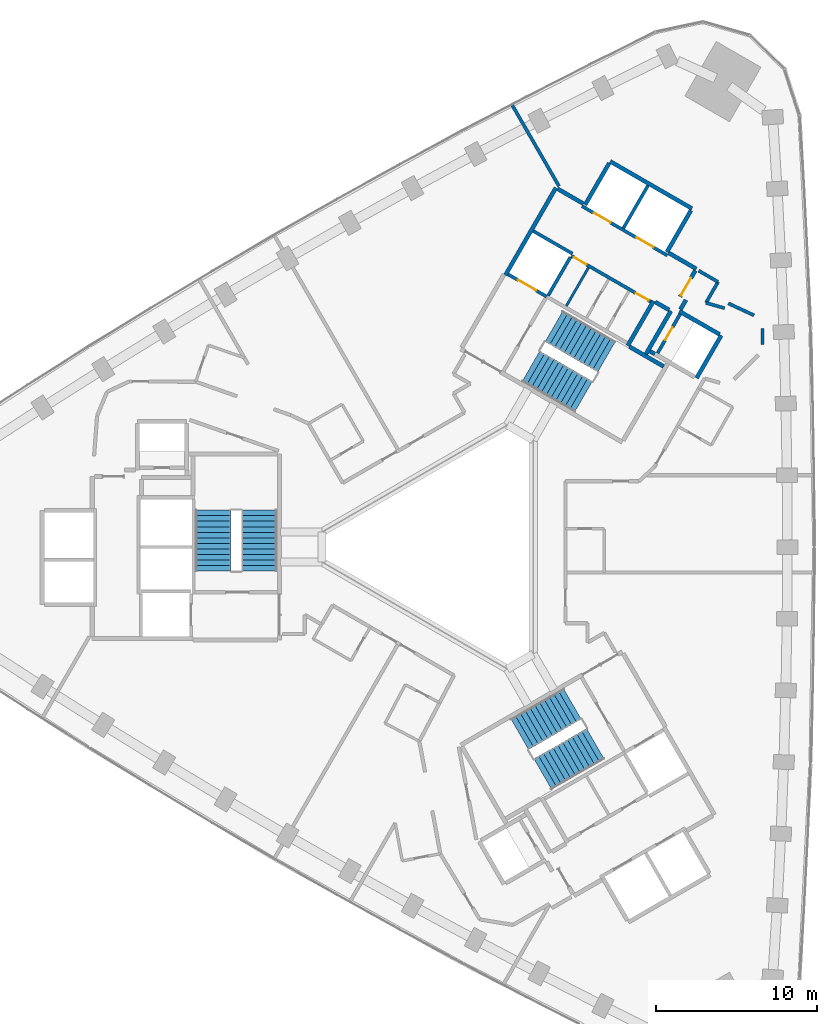
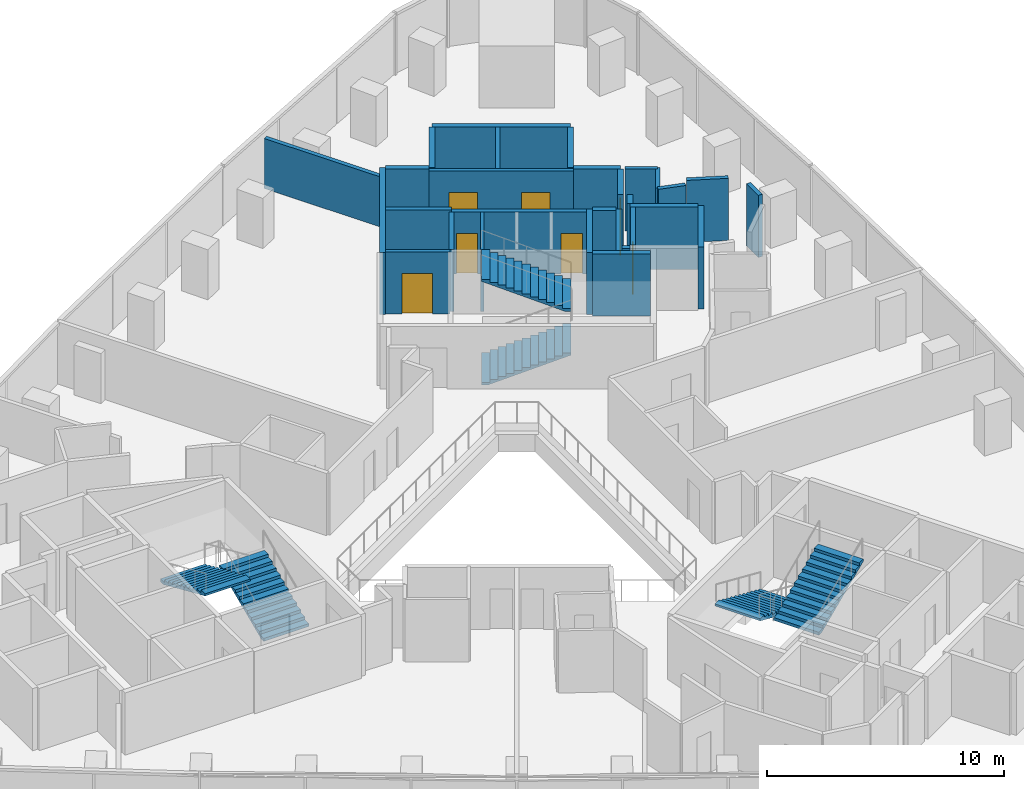
# One storey, part 11 of 12: 29 walls, 7 doors, 6 stair flights, 7 openings, 3 elements without a shape of their own.
"""IFC4 building model written with IfcOpenShell, lengths in metres."""

from ifc_helpers import new_model, si_unit, direction, frame, frame_2d, origin, place, context, subcontext, project, spatial, polyline, rectangle, outline, extrude, material, layer, layer_set, type_object, element, fill, aggregate, save


model = new_model("IFC4")

# Units and contexts
model_context = context("Model", 3, precision=1e-05, world=origin(), true_north=direction((0.0, 1.0)))
body_context = subcontext(model_context, "Body", "Model", "MODEL_VIEW")
ifc_project = project(units=[si_unit("LENGTHUNIT", "METRE"), si_unit("AREAUNIT", "SQUARE_METRE"), si_unit("VOLUMEUNIT", "CUBIC_METRE"), si_unit("PLANEANGLEUNIT", "RADIAN"), si_unit("MASSUNIT", "GRAM", prefix="KILO")], contexts=[model_context])

# Site, building, storey
site_placement = place(None, origin())
site = spatial("IfcSite", under=ifc_project, at=site_placement, CompositionType="ELEMENT")
building_placement = place(site_placement, origin())
building = spatial("IfcBuilding", under=site, at=building_placement, Name="Tamra Quay Hotel Tower", CompositionType="ELEMENT")
storey_placement = place(building_placement, frame((0.0, 0.0, 115.39990234375)))
storey = spatial("IfcBuildingStorey", under=building, at=storey_placement, Name="L28", CompositionType="ELEMENT", Elevation=115.39990234375)

# Wall, openings, doors
ifc_material_1 = material(Name="Concrete M70", Category="concrete")
ifc_layer_1 = layer(ifc_material_1, 0.199951171875)
ifc_layer_set_1 = layer_set([ifc_layer_1], Name="Concrete M70 core wall 200")
wall_type_1 = type_object("IfcWallType", Name="Concrete M70 core wall 200", PredefinedType="SHEAR", material=ifc_layer_set_1)
wall_1_placement = place(storey_placement, frame((13.209716796875, 18.07958984375, 0.0), z_axis=(0.0, 0.0, 1.0), x_axis=(-0.866030299012, 0.499991521122, 0.0)))
wall_1 = element("IfcWall", 1, at=wall_1_placement, inside=storey, type_object=wall_type_1, Name="CW2", PredefinedType="SHEAR", context=body_context, shape_type="SweptSolid", body=[
    extrude(rectangle(XDim=6.10009765625, YDim=0.199951171875, at=frame_2d((3.050048828125, 0.0))), origin(), (0.0, 0.0, 1.0), 3.2001953125),
])
opening_1_placement = place(wall_1_placement, frame((1.0, 0.0, 0.0)))
opening_1 = element("IfcOpeningElement", 2, at=opening_1_placement, cuts=wall_1, Name="Opening LD", PredefinedType="OPENING", context=body_context, shape_type="SweptSolid", body=[
    extrude(rectangle(XDim=1.199951171875, YDim=2.10009765625, at=frame_2d((0.60009765625, 1.050048828125))), frame((0.0, 0.10986328125, 0.0), z_axis=(0.0, -1.0, 0.0), x_axis=(1.0, 0.0, 0.0)), (0.0, 0.0, 1.0), 0.219970703125),
])
opening_2_placement = place(wall_1_placement, frame((4.05029296875, 0.0, 0.0)))
opening_2 = element("IfcOpeningElement", 3, at=opening_2_placement, cuts=wall_1, Name="Opening LD", PredefinedType="OPENING", context=body_context, shape_type="SweptSolid", body=[
    extrude(rectangle(XDim=1.199951171875, YDim=2.10009765625, at=frame_2d((0.60009765625, 1.050048828125))), frame((0.0, 0.10986328125, 0.0), z_axis=(0.0, -1.0, 0.0), x_axis=(1.0, 0.0, 0.0)), (0.0, 0.0, 1.0), 0.219970703125),
])
ifc_material_2 = material(Name="Landing door LD 1200 double door sliding")
door_type_1 = type_object("IfcDoorType", Name="Landing door LD 1200 double door sliding", OperationType="DOUBLE_DOOR_SLIDING", PredefinedType="DOOR", material=ifc_material_2)
door_1_placement = place(opening_1_placement, origin())
door_1 = element("IfcDoor", 4, at=door_1_placement, inside=storey, type_object=door_type_1, Name="LD", OperationType="DOUBLE_DOOR_SLIDING", OverallHeight=2.10009765625, OverallWidth=1.199951171875, PredefinedType="DOOR", context=body_context, shape_type="SweptSolid", body=[
    extrude(rectangle(XDim=1.199951171875, YDim=2.10009765625, at=frame_2d((0.60009765625, 1.050048828125))), frame((0.0, 0.02490234375, 0.0), z_axis=(0.0, -1.0, 0.0), x_axis=(1.0, 0.0, 0.0)), (0.0, 0.0, 1.0), 0.050048828125),
])
fill(opening_1, door_1)
door_2_placement = place(opening_2_placement, origin())
door_2 = element("IfcDoor", 5, at=door_2_placement, inside=storey, type_object=door_type_1, Name="LD", OperationType="DOUBLE_DOOR_SLIDING", OverallHeight=2.10009765625, OverallWidth=1.199951171875, PredefinedType="DOOR", context=body_context, shape_type="SweptSolid", body=[
    extrude(rectangle(XDim=1.199951171875, YDim=2.10009765625, at=frame_2d((0.60009765625, 1.050048828125))), frame((0.0, 0.02490234375, 0.0), z_axis=(0.0, -1.0, 0.0), x_axis=(1.0, 0.0, 0.0)), (0.0, 0.0, 1.0), 0.050048828125),
])
fill(opening_2, door_2)

wall_2_placement = place(storey_placement, frame((12.18505859375, 15.20703125, 0.0), z_axis=(0.0, 0.0, 1.0), x_axis=(-0.866020080793, 0.500009219579, 0.0)))
wall_2 = element("IfcWall", 6, at=wall_2_placement, inside=storey, type_object=wall_type_1, Name="CW2", PredefinedType="SHEAR", context=body_context, shape_type="SweptSolid", body=[
    extrude(rectangle(XDim=5.69921875, YDim=0.199951171875, at=frame_2d((2.849609375, 0.0))), origin(), (0.0, 0.0, 1.0), 3.2001953125),
])
opening_3_placement = place(wall_2_placement, frame((0.174072265625, 0.0, 0.0)))
opening_3 = element("IfcOpeningElement", 7, at=opening_3_placement, cuts=wall_2, Name="Opening D2", PredefinedType="OPENING", context=body_context, shape_type="SweptSolid", body=[
    extrude(rectangle(XDim=0.89990234375, YDim=2.10009765625, at=frame_2d((0.449951171875, 1.050048828125))), frame((0.0, 0.10986328125, 0.0), z_axis=(0.0, -1.0, 0.0), x_axis=(1.0, 0.0, 0.0)), (0.0, 0.0, 1.0), 0.219970703125),
])
opening_4_placement = place(wall_2_placement, frame((4.59912109375, 0.0, 0.0)))
opening_4 = element("IfcOpeningElement", 8, at=opening_4_placement, cuts=wall_2, Name="Opening D2", PredefinedType="OPENING", context=body_context, shape_type="SweptSolid", body=[
    extrude(rectangle(XDim=0.89990234375, YDim=2.10009765625, at=frame_2d((0.449951171875, 1.050048828125))), frame((0.0, 0.10986328125, 0.0), z_axis=(0.0, -1.0, 0.0), x_axis=(1.0, 0.0, 0.0)), (0.0, 0.0, 1.0), 0.219970703125),
])
ifc_material_3 = material(Name="Core door D2 900x2100 LH")
door_type_2 = type_object("IfcDoorType", Name="Core door D2 900x2100 LH", OperationType="NOTDEFINED", PredefinedType="DOOR", material=ifc_material_3)
door_3_placement = place(opening_4_placement, origin())
door_3 = element("IfcDoor", 9, at=door_3_placement, inside=storey, type_object=door_type_2, Name="D2", OperationType="SINGLE_SWING_LEFT", OverallHeight=2.10009765625, OverallWidth=0.89990234375, PredefinedType="DOOR", context=body_context, shape_type="SweptSolid", body=[
    extrude(rectangle(XDim=0.89990234375, YDim=2.10009765625, at=frame_2d((0.449951171875, 1.050048828125))), frame((0.0, 0.02490234375, 0.0), z_axis=(0.0, -1.0, 0.0), x_axis=(1.0, 0.0, 0.0)), (0.0, 0.0, 1.0), 0.050048828125),
])
fill(opening_4, door_3)
ifc_material_4 = material(Name="Core door D2 900x2100 RH")
door_type_3 = type_object("IfcDoorType", Name="Core door D2 900x2100 RH", OperationType="NOTDEFINED", PredefinedType="DOOR", material=ifc_material_4)
door_4_placement = place(opening_3_placement, origin())
door_4 = element("IfcDoor", 10, at=door_4_placement, inside=storey, type_object=door_type_3, Name="D2", OperationType="SINGLE_SWING_RIGHT", OverallHeight=2.10009765625, OverallWidth=0.89990234375, PredefinedType="DOOR", context=body_context, shape_type="SweptSolid", body=[
    extrude(rectangle(XDim=0.89990234375, YDim=2.10009765625, at=frame_2d((0.449951171875, 1.050048828125))), frame((0.0, 0.02490234375, 0.0), z_axis=(0.0, -1.0, 0.0), x_axis=(1.0, 0.0, 0.0)), (0.0, 0.0, 1.0), 0.050048828125),
])
fill(opening_3, door_4)

# Wall
wall_3_placement = place(storey_placement, frame((10.48876953125, 19.76708984375, 0.0), z_axis=(0.0, 0.0, 1.0), x_axis=(0.499946628782, 0.866056215479, 0.0)))
element("IfcWall", 11, at=wall_3_placement, inside=storey, type_object=wall_type_1, Name="CW2", PredefinedType="SHEAR", context=body_context, shape_type="SweptSolid", body=[
    extrude(rectangle(XDim=3.048095703125, YDim=0.199951171875, at=frame_2d((1.52392578125, 0.0))), origin(), (0.0, 0.0, 1.0), 3.2001953125),
])

# Wall, opening, door
wall_4_placement = place(storey_placement, frame((14.0078125, 14.442138671875, 0.0), z_axis=(0.0, 0.0, 1.0), x_axis=(-0.499986818241, -0.866033014143, 0.0)))
wall_4 = element("IfcWall", 12, at=wall_4_placement, inside=storey, type_object=wall_type_1, Name="CW2", PredefinedType="SHEAR", context=body_context, shape_type="SweptSolid", body=[
    extrude(rectangle(XDim=2.7978515625, YDim=0.199951171875, at=frame_2d((1.39892578125, 0.0))), origin(), (0.0, 0.0, 1.0), 3.2001953125),
])
opening_5_placement = place(wall_4_placement, frame((0.948974609375, 0.0, 0.0)))
opening_5 = element("IfcOpeningElement", 13, at=opening_5_placement, cuts=wall_4, Name="Opening D1", PredefinedType="OPENING", context=body_context, shape_type="SweptSolid", body=[
    extrude(rectangle(XDim=0.89990234375, YDim=2.10009765625, at=frame_2d((0.449951171875, 1.050048828125))), frame((0.0, 0.10986328125, 0.0), z_axis=(0.0, -1.0, 0.0), x_axis=(1.0, 0.0, 0.0)), (0.0, 0.0, 1.0), 0.219970703125),
])
ifc_material_5 = material(Name="Core door D1 900x2100 RH")
door_type_4 = type_object("IfcDoorType", Name="Core door D1 900x2100 RH", OperationType="NOTDEFINED", PredefinedType="DOOR", material=ifc_material_5)
door_5_placement = place(opening_5_placement, origin())
door_5 = element("IfcDoor", 14, at=door_5_placement, inside=storey, type_object=door_type_4, Name="D1", OperationType="SINGLE_SWING_RIGHT", OverallHeight=2.10009765625, OverallWidth=0.89990234375, PredefinedType="DOOR", context=body_context, shape_type="SweptSolid", body=[
    extrude(rectangle(XDim=0.89990234375, YDim=2.10009765625, at=frame_2d((0.449951171875, 1.050048828125))), frame((0.0, 0.02490234375, 0.0), z_axis=(0.0, -1.0, 0.0), x_axis=(1.0, 0.0, 0.0)), (0.0, 0.0, 1.0), 0.050048828125),
])
fill(opening_5, door_5)

# Wall
wall_5_placement = place(storey_placement, frame((7.199462890625, 17.969970703125, 0.0), z_axis=(0.0, 0.0, 1.0), x_axis=(-0.499968400327, -0.866043647095, 0.0)))
element("IfcWall", 15, at=wall_5_placement, inside=storey, type_object=wall_type_1, Name="CW2", PredefinedType="SHEAR", context=body_context, shape_type="SweptSolid", body=[
    extrude(rectangle(XDim=2.749755859375, YDim=0.199951171875, at=frame_2d((1.375, 0.0))), origin(), (0.0, 0.0, 1.0), 3.2001953125),
])

# Wall, opening, door
wall_6_placement = place(storey_placement, frame((5.72509765625, 15.530517578125, 0.0), z_axis=(0.0, 0.0, 1.0), x_axis=(-0.866037306777, 0.499979382845, 0.0)))
wall_6 = element("IfcWall", 16, at=wall_6_placement, inside=storey, type_object=wall_type_1, Name="CW2", PredefinedType="SHEAR", context=body_context, shape_type="SweptSolid", body=[
    extrude(rectangle(XDim=2.74169921875, YDim=0.199951171875, at=frame_2d((1.370849609375, 0.0))), origin(), (0.0, 0.0, 1.0), 3.2001953125),
])
opening_6_placement = place(wall_6_placement, frame((0.742919921875, 0.0, 0.0)))
opening_6 = element("IfcOpeningElement", 17, at=opening_6_placement, cuts=wall_6, Name="Opening LD", PredefinedType="OPENING", context=body_context, shape_type="SweptSolid", body=[
    extrude(rectangle(XDim=1.300048828125, YDim=2.10009765625, at=frame_2d((0.64990234375, 1.050048828125))), frame((0.0, 0.10986328125, 0.0), z_axis=(0.0, -1.0, 0.0), x_axis=(1.0, 0.0, 0.0)), (0.0, 0.0, 1.0), 0.219970703125),
])
ifc_material_6 = material(Name="Landing door LD 1300 sliding to left")
door_type_5 = type_object("IfcDoorType", Name="Landing door LD 1300 sliding to left", OperationType="NOTDEFINED", PredefinedType="DOOR", material=ifc_material_6)
door_6_placement = place(opening_6_placement, origin())
door_6 = element("IfcDoor", 18, at=door_6_placement, inside=storey, type_object=door_type_5, Name="LD", OperationType="SLIDING_TO_LEFT", OverallHeight=2.10009765625, OverallWidth=1.300048828125, PredefinedType="DOOR", context=body_context, shape_type="SweptSolid", body=[
    extrude(rectangle(XDim=1.300048828125, YDim=2.10009765625, at=frame_2d((0.64990234375, 1.050048828125))), frame((0.0, 0.02490234375, 0.0), z_axis=(0.0, -1.0, 0.0), x_axis=(1.0, 0.0, 0.0)), (0.0, 0.0, 1.0), 0.050048828125),
])
fill(opening_6, door_6)

# Walls
wall_7_placement = place(storey_placement, frame((4.900634765625, 19.5859375, 0.0), z_axis=(0.0, 0.0, 1.0), x_axis=(0.866022890907, -0.500004352405, 0.0)))
element("IfcWall", 19, at=wall_7_placement, inside=storey, type_object=wall_type_1, Name="CW2", PredefinedType="SHEAR", context=body_context, shape_type="SweptSolid", body=[
    extrude(rectangle(XDim=2.798828125, YDim=0.199951171875, at=frame_2d((1.3994140625, 0.0))), origin(), (0.0, 0.0, 1.0), 3.2001953125),
])
ifc_layer_2 = layer(ifc_material_1, 0.25)
ifc_layer_set_2 = layer_set([ifc_layer_2], Name="Concrete M70 core wall 250")
wall_type_2 = type_object("IfcWallType", Name="Concrete M70 core wall 250", PredefinedType="SHEAR", material=ifc_layer_set_2)
wall_8_placement = place(storey_placement, frame((3.178955078125, 16.856201171875, 0.0), z_axis=(0.0, 0.0, 1.0), x_axis=(0.500004234368, 0.866022959057, 0.0)))
element("IfcWall", 20, at=wall_8_placement, inside=storey, type_object=wall_type_2, Name="CW1", PredefinedType="SHEAR", context=body_context, shape_type="SweptSolid", body=[
    extrude(rectangle(XDim=6.25, YDim=0.25, at=frame_2d((3.125, 0.0))), origin(), (0.0, 0.0, 1.0), 3.2001953125),
])
wall_9_placement = place(storey_placement, frame((9.672607421875, 23.9033203125, 0.0), z_axis=(0.0, 0.0, 1.0), x_axis=(0.86603616409, -0.499981362141, 0.0)))
element("IfcWall", 21, at=wall_9_placement, inside=storey, type_object=wall_type_2, Name="CW1", PredefinedType="SHEAR", context=body_context, shape_type="SweptSolid", body=[
    extrude(rectangle(XDim=5.849853515625, YDim=0.25, at=frame_2d((2.9248046875, 0.0))), origin(), (0.0, 0.0, 1.0), 3.2001953125),
])
wall_10_placement = place(storey_placement, frame((12.356689453125, 15.25244140625, 0.0), z_axis=(0.0, 0.0, 1.0), x_axis=(-0.500028443584, -0.866008981251, 0.0)))
element("IfcWall", 22, at=wall_10_placement, inside=storey, type_object=wall_type_2, Name="CW1", PredefinedType="SHEAR", context=body_context, shape_type="SweptSolid", body=[
    extrude(rectangle(XDim=3.199951171875, YDim=0.25, at=frame_2d((1.60009765625, 0.0))), origin(), (0.0, 0.0, 1.0), 3.2001953125),
])
for number, where, z_axis, x_axis, name in (
    (23, (8.12255859375, 21.21875, 0.0), (0.0, 0.0, 1.0), (0.499987686533, 0.866032512851, 0.0), "CW1"),
    (24, (14.67626953125, 20.869873046875, 0.0), (0.0, 0.0, 1.0), (-0.499987686533, -0.866032512851, 0.0), "CW1"),
):
    element("IfcWall", number, at=place(storey_placement, frame(where, z_axis=z_axis, x_axis=x_axis)), inside=storey, type_object=wall_type_2, Name=name, PredefinedType="SHEAR", context=body_context, shape_type="SweptSolid", body=[
        extrude(rectangle(XDim=2.974609375, YDim=0.25, at=frame_2d((1.4873046875, 0.0))), origin(), (0.0, 0.0, 1.0), 3.2001953125),
    ])
wall_11_placement = place(storey_placement, frame((16.552001953125, 13.118896484375, 0.0), z_axis=(0.0, 0.0, 1.0), x_axis=(-0.499978833458, -0.866037623948, 0.0)))
element("IfcWall", 25, at=wall_11_placement, inside=storey, type_object=wall_type_2, Name="CW1", PredefinedType="SHEAR", context=body_context, shape_type="SweptSolid", body=[
    extrude(rectangle(XDim=3.050048828125, YDim=0.25, at=frame_2d((1.52490234375, 0.0))), origin(), (0.0, 0.0, 1.0), 3.2001953125),
])
wall_12_placement = place(storey_placement, frame((13.962646484375, 14.61376953125, 0.0), z_axis=(0.0, 0.0, 1.0), x_axis=(0.866042235819, -0.499970844928, 0.0)))
element("IfcWall", 26, at=wall_12_placement, inside=storey, type_object=wall_type_2, Name="CW1", PredefinedType="SHEAR", context=body_context, shape_type="SweptSolid", body=[
    extrude(rectangle(XDim=2.864501953125, YDim=0.25, at=frame_2d((1.43212890625, 0.0))), origin(), (0.0, 0.0, 1.0), 3.2001953125),
])
wall_13_placement = place(storey_placement, frame((11.887939453125, 11.960693359375, 0.0), z_axis=(0.0, 0.0, 1.0), x_axis=(0.500003324108, 0.866023484601, 0.0)))
element("IfcWall", 27, at=wall_13_placement, inside=storey, type_object=wall_type_2, Name="CW1", PredefinedType="SHEAR", context=body_context, shape_type="SweptSolid", body=[
    extrude(rectangle(XDim=3.0849609375, YDim=0.25, at=frame_2d((1.54248046875, 0.0))), origin(), (0.0, 0.0, 1.0), 3.2001953125),
])
wall_14_placement = place(storey_placement, frame((10.865234375, 12.41845703125, 0.0), z_axis=(0.0, 0.0, 1.0), x_axis=(0.866026229868, -0.499998569178, 0.0)))
element("IfcWall", 28, at=wall_14_placement, inside=storey, type_object=wall_type_2, Name="CW1", PredefinedType="SHEAR", context=body_context, shape_type="SweptSolid", body=[
    extrude(rectangle(XDim=2.44921875, YDim=0.25, at=frame_2d((1.224609375, 0.0))), origin(), (0.0, 0.0, 1.0), 3.2001953125),
])
wall_15_placement = place(storey_placement, frame((13.29736328125, 18.23095703125, 0.0), z_axis=(0.0, 0.0, 1.0), x_axis=(0.866043531843, -0.499968599967, 0.0)))
element("IfcWall", 29, at=wall_15_placement, inside=storey, type_object=wall_type_2, Name="CW1", PredefinedType="SHEAR", context=body_context, shape_type="SweptSolid", body=[
    extrude(rectangle(XDim=1.974853515625, YDim=0.25, at=frame_2d((0.9873046875, 0.0))), origin(), (0.0, 0.0, 1.0), 3.2001953125),
])
wall_16_placement = place(storey_placement, frame((6.41259765625, 22.2060546875, 0.0), z_axis=(0.0, 0.0, 1.0), x_axis=(0.866016279763, -0.500015802937, 0.0)))
element("IfcWall", 30, at=wall_16_placement, inside=storey, type_object=wall_type_2, Name="CW1", PredefinedType="SHEAR", context=body_context, shape_type="SweptSolid", body=[
    extrude(rectangle(XDim=1.84912109375, YDim=0.25, at=frame_2d((0.924560546875, 0.0))), origin(), (0.0, 0.0, 1.0), 3.2001953125),
])

# Wall, opening, door
wall_17_placement = place(storey_placement, frame((14.94482421875, 17.13525390625, 0.0), z_axis=(0.0, 0.0, 1.0), x_axis=(-0.499983108224, -0.866035156036, 0.0)))
wall_17 = element("IfcWall", 31, at=wall_17_placement, inside=storey, type_object=wall_type_2, Name="CW1", PredefinedType="SHEAR", context=body_context, shape_type="SweptSolid", body=[
    extrude(rectangle(XDim=1.86474609375, YDim=0.25, at=frame_2d((0.932373046875, 0.0))), origin(), (0.0, 0.0, 1.0), 3.2001953125),
])
opening_7_placement = place(wall_17_placement, frame((0.53466796875, 0.0, 0.0)))
opening_7 = element("IfcOpeningElement", 32, at=opening_7_placement, cuts=wall_17, Name="Opening FD3", PredefinedType="OPENING", context=body_context, shape_type="SweptSolid", body=[
    extrude(rectangle(XDim=1.25, YDim=2.10009765625, at=frame_2d((0.625, 1.050048828125))), frame((0.0, 0.135009765625, 0.0), z_axis=(0.0, -1.0, 0.0), x_axis=(1.0, 0.0, 0.0)), (0.0, 0.0, 1.0), 0.27001953125),
])
ifc_material_7 = material(Name="Core door FD3 1250x2100 LH")
door_type_6 = type_object("IfcDoorType", Name="Core door FD3 1250x2100 LH", OperationType="NOTDEFINED", PredefinedType="DOOR", material=ifc_material_7)
door_7_placement = place(opening_7_placement, origin())
door_7 = element("IfcDoor", 33, at=door_7_placement, inside=storey, type_object=door_type_6, Name="FD3", OperationType="SINGLE_SWING_LEFT", OverallHeight=2.10009765625, OverallWidth=1.25, PredefinedType="DOOR", context=body_context, shape_type="SweptSolid", body=[
    extrude(rectangle(XDim=1.25, YDim=2.10009765625, at=frame_2d((0.625, 1.050048828125))), frame((0.0, 0.02490234375, 0.0), z_axis=(0.0, -1.0, 0.0), x_axis=(1.0, 0.0, 0.0)), (0.0, 0.0, 1.0), 0.050048828125),
])
fill(opening_7, door_7)

# Walls
wall_18_placement = place(storey_placement, frame((13.322021484375, 14.695068359375, 0.0), z_axis=(0.0, 0.0, 1.0), x_axis=(-0.866017078145, 0.500014420154, 0.0)))
element("IfcWall", 34, at=wall_18_placement, inside=storey, type_object=wall_type_2, Name="CW1", PredefinedType="SHEAR", context=body_context, shape_type="SweptSolid", body=[
    extrude(rectangle(XDim=0.9892578125, YDim=0.25, at=frame_2d((0.49462890625, 0.0))), origin(), (0.0, 0.0, 1.0), 3.2001953125),
])
wall_19_placement = place(storey_placement, frame((14.36767578125, 15.3154296875, 0.0), z_axis=(0.0, 0.0, 1.0), x_axis=(-0.499897359611, -0.866084655132, 0.0)))
element("IfcWall", 35, at=wall_19_placement, inside=storey, type_object=wall_type_2, Name="CW1", PredefinedType="SHEAR", context=body_context, shape_type="SweptSolid", body=[
    extrude(rectangle(XDim=0.684814453125, YDim=0.25, at=frame_2d((0.34228515625, 0.0))), origin(), (0.0, 0.0, 1.0), 3.2001953125),
])
wall_20_placement = place(storey_placement, frame((12.4326171875, 11.9638671875, 0.0), z_axis=(0.0, 0.0, 1.0), x_axis=(-0.866055875208, 0.499947218231, 0.0)))
element("IfcWall", 36, at=wall_20_placement, inside=storey, type_object=wall_type_2, Name="CW1", PredefinedType="SHEAR", context=body_context, shape_type="SweptSolid", body=[
    extrude(rectangle(XDim=0.3447265625, YDim=0.25, at=frame_2d((0.17236328125, 0.0))), origin(), (0.0, 0.0, 1.0), 3.2001953125),
])
ifc_material_8 = material(Name="Blockwork", Category="masonry")
ifc_layer_3 = layer(ifc_material_8, 0.14990234375)
ifc_layer_set_3 = layer_set([ifc_layer_3], Name="Core partition block 150")
wall_type_3 = type_object("IfcWallType", Name="Core partition block 150", PredefinedType="PARTITIONING", material=ifc_layer_set_3)
wall_21_placement = place(storey_placement, frame((6.95068359375, 14.939208984375, 0.0), z_axis=(0.0, 0.0, 1.0), x_axis=(0.50002746344, 0.86600954718, 0.0)))
element("IfcWall", 37, at=wall_21_placement, inside=storey, type_object=wall_type_3, Name="CP1", PredefinedType="PARTITIONING", context=body_context, shape_type="SweptSolid", body=[
    extrude(rectangle(XDim=2.748291015625, YDim=0.14990234375, at=frame_2d((1.3740234375, 0.0))), origin(), (0.0, 0.0, 1.0), 3.2001953125),
])
ifc_material_9 = material(Name="Partition corridor wall")
ifc_layer_4 = layer(ifc_material_9, 0.199951171875)
ifc_layer_set_4 = layer_set([ifc_layer_4], Name="Partition corridor wall")
wall_type_4 = type_object("IfcWallType", Name="Partition corridor wall", PredefinedType="PARTITIONING", material=ifc_layer_set_4)
wall_22_placement = place(storey_placement, frame((15.155517578125, 17.130126953125, 0.0), z_axis=(0.0, 0.0, 1.0), x_axis=(0.865755062894, -0.500467952093, 0.0)))
element("IfcWall", 38, at=wall_22_placement, inside=storey, type_object=wall_type_4, Name="W-C", PredefinedType="PARTITIONING", context=body_context, shape_type="SweptSolid", body=[
    extrude(rectangle(XDim=1.388916015625, YDim=0.199951171875, at=frame_2d((0.6943359375, 0.0))), origin(), (0.0, 0.0, 1.0), 3.2001953125),
])
wall_23_placement = place(storey_placement, frame((15.60888671875, 15.135986328125, 0.0), z_axis=(0.0, 0.0, 1.0), x_axis=(0.499501622561, 0.866312950993, 0.0)))
element("IfcWall", 39, at=wall_23_placement, inside=storey, type_object=wall_type_4, Name="W-C", PredefinedType="PARTITIONING", context=body_context, shape_type="SweptSolid", body=[
    extrude(rectangle(XDim=1.49951171875, YDim=0.199951171875, at=frame_2d((0.749755859375, 0.0))), origin(), (0.0, 0.0, 1.0), 3.2001953125),
])
wall_24_placement = place(storey_placement, frame((15.60888671875, 15.135986328125, 0.0), z_axis=(0.0, 0.0, 1.0), x_axis=(0.961662011825, -0.274237442763, 0.0)))
element("IfcWall", 40, at=wall_24_placement, inside=storey, type_object=wall_type_4, Name="W-C", PredefinedType="PARTITIONING", context=body_context, shape_type="SweptSolid", body=[
    extrude(rectangle(XDim=1.199951171875, YDim=0.199951171875, at=frame_2d((0.60009765625, 0.0))), origin(), (0.0, 0.0, 1.0), 3.2001953125),
])
wall_25_placement = place(storey_placement, frame((16.992919921875, 15.10302734375, 0.0), z_axis=(0.0, 0.0, 1.0), x_axis=(0.90710328714, -0.420908097403, 0.0)))
element("IfcWall", 41, at=wall_25_placement, inside=storey, type_object=wall_type_4, Name="W-C", PredefinedType="PARTITIONING", context=body_context, shape_type="SweptSolid", body=[
    extrude(rectangle(XDim=1.76513671875, YDim=0.199951171875, at=frame_2d((0.882568359375, 0.0))), origin(), (0.0, 0.0, 1.0), 3.2001953125),
])
wall_26_placement = place(storey_placement, frame((19.114990234375, 12.5439453125, 0.0), z_axis=(0.0, 0.0, 1.0), x_axis=(0.0, 1.0, 0.0)))
element("IfcWall", 42, at=wall_26_placement, inside=storey, type_object=wall_type_4, Name="W-C", PredefinedType="PARTITIONING", context=body_context, shape_type="SweptSolid", body=[
    extrude(rectangle(XDim=1.0, YDim=0.199951171875, at=frame_2d((0.5, 0.0))), origin(), (0.0, 0.0, 1.0), 3.2001953125),
])
ifc_material_10 = material(Name="Partition party wall")
ifc_layer_5 = layer(ifc_material_10, 0.199951171875)
ifc_layer_set_5 = layer_set([ifc_layer_5], Name="Partition party wall")
wall_type_5 = type_object("IfcWallType", Name="Partition party wall", PredefinedType="PARTITIONING", material=ifc_layer_set_5)
wall_27_placement = place(storey_placement, frame((3.57958984375, 27.42578125, 0.0), z_axis=(0.0, 0.0, 1.0), x_axis=(0.499815409316, -0.866131951039, 0.0)))
element("IfcWall", 43, at=wall_27_placement, inside=storey, type_object=wall_type_5, Name="W-P", PredefinedType="PARTITIONING", context=body_context, shape_type="SweptSolid", body=[
    extrude(rectangle(XDim=5.835693359375, YDim=0.199951171875, at=frame_2d((2.91796875, 0.0))), origin(), (0.0, 0.0, 1.0), 2.580078125),
])

# Stair, stair flights
ifc_material_11 = material(Name="Exit stair 2200 24 risers 150.0 going 342")
stair_type = type_object("IfcStairType", Name="Exit stair 2200 24 risers 150.0 going 342", PredefinedType="HALF_TURN_STAIR", material=ifc_material_11)
stair_1_placement = place(storey_placement, origin())
stair_1 = element("IfcStair", 44, at=stair_1_placement, inside=storey, type_object=stair_type, Name="L28 Exit stair ST3", PredefinedType="HALF_TURN_STAIR")
ifc_material_12 = material(Name="Exit stair flight 2200 12 risers 150.0")
stair_flight_type = type_object("IfcStairFlightType", Name="Exit stair flight 2200 12 risers 150.0", PredefinedType="STRAIGHT", material=ifc_material_12)
stair_flight_1_placement = place(storey_placement, frame((-12.082275390625, -1.47998046875, 0.0), z_axis=(0.0, 0.0, 1.0), x_axis=(0.0, 1.0, 0.0)))
stair_flight_1 = element("IfcStairFlight", 45, at=stair_flight_1_placement, type_object=stair_flight_type, Name="ST3 flight 1", NumberOfRisers=12, NumberOfTreads=11, PredefinedType="STRAIGHT", RiserHeight=0.15, TreadLength=0.342, context=body_context, shape_type="SweptSolid", body=[
    extrude(outline(polyline([(0.0, 0.0), (0.0, 0.14990234375), (0.342041015625, 0.14990234375), (0.342041015625, 0.300048828125), (0.68408203125, 0.300048828125), (0.68408203125, 0.449951171875), (1.02587890625, 0.449951171875), (1.02587890625, 0.60009765625), (1.367919921875, 0.60009765625), (1.367919921875, 0.75), (1.7099609375, 0.75), (1.7099609375, 0.89990234375), (2.052001953125, 0.89990234375), (2.052001953125, 1.050048828125), (2.39404296875, 1.050048828125), (2.39404296875, 1.199951171875), (2.736083984375, 1.199951171875), (2.736083984375, 1.35009765625), (3.077880859375, 1.35009765625), (3.077880859375, 1.5), (3.419921875, 1.5), (3.419921875, 1.64990234375), (3.761962890625, 1.64990234375), (3.761962890625, 1.800048828125), (3.761962890625, 1.540771484375), (0.249267578125, 0.0), (0.0, 0.0)])), frame((0.0, 1.10009765625, 0.0), z_axis=(0.0, -1.0, 0.0), x_axis=(1.0, 0.0, 0.0)), (0.0, 0.0, 1.0), 2.199951171875),
])
stair_flight_2_placement = place(storey_placement, frame((-14.94140625, 2.281982421875, 1.800048828125), z_axis=(0.0, 0.0, 1.0), x_axis=(0.0, -1.0, 0.0)))
stair_flight_2 = element("IfcStairFlight", 46, at=stair_flight_2_placement, type_object=stair_flight_type, Name="ST3 flight 2", NumberOfRisers=12, NumberOfTreads=11, PredefinedType="STRAIGHT", RiserHeight=0.15, TreadLength=0.342, context=body_context, shape_type="SweptSolid", body=[
    extrude(outline(polyline([(0.0, 0.0), (0.0, 0.14990234375), (0.342041015625, 0.14990234375), (0.342041015625, 0.300048828125), (0.68408203125, 0.300048828125), (0.68408203125, 0.449951171875), (1.02587890625, 0.449951171875), (1.02587890625, 0.60009765625), (1.367919921875, 0.60009765625), (1.367919921875, 0.75), (1.7099609375, 0.75), (1.7099609375, 0.89990234375), (2.052001953125, 0.89990234375), (2.052001953125, 1.050048828125), (2.39404296875, 1.050048828125), (2.39404296875, 1.199951171875), (2.736083984375, 1.199951171875), (2.736083984375, 1.35009765625), (3.077880859375, 1.35009765625), (3.077880859375, 1.5), (3.419921875, 1.5), (3.419921875, 1.64990234375), (3.761962890625, 1.64990234375), (3.761962890625, 1.800048828125), (3.761962890625, 1.540771484375), (0.249267578125, 0.0), (0.0, 0.0)])), frame((0.0, 1.10009765625, 0.0), z_axis=(0.0, -1.0, 0.0), x_axis=(1.0, 0.0, 0.0)), (0.0, 0.0, 1.0), 2.199951171875),
])
aggregate(stair_1, [stair_flight_1, stair_flight_2])

stair_2_placement = place(storey_placement, origin())
stair_2 = element("IfcStair", 47, at=stair_2_placement, inside=storey, type_object=stair_type, Name="L28 Exit stair ST1", PredefinedType="HALF_TURN_STAIR")
stair_flight_3_placement = place(storey_placement, frame((4.75927734375, 11.20361328125, 0.0), z_axis=(0.0, 0.0, 1.0), x_axis=(0.866025403784, -0.5, 0.0)))
stair_flight_3 = element("IfcStairFlight", 48, at=stair_flight_3_placement, type_object=stair_flight_type, Name="ST1 flight 1", NumberOfRisers=12, NumberOfTreads=11, PredefinedType="STRAIGHT", RiserHeight=0.15, TreadLength=0.342, context=body_context, shape_type="SweptSolid", body=[
    extrude(outline(polyline([(0.0, 0.0), (0.0, 0.14990234375), (0.342041015625, 0.14990234375), (0.342041015625, 0.300048828125), (0.68408203125, 0.300048828125), (0.68408203125, 0.449951171875), (1.02587890625, 0.449951171875), (1.02587890625, 0.60009765625), (1.367919921875, 0.60009765625), (1.367919921875, 0.75), (1.7099609375, 0.75), (1.7099609375, 0.89990234375), (2.052001953125, 0.89990234375), (2.052001953125, 1.050048828125), (2.39404296875, 1.050048828125), (2.39404296875, 1.199951171875), (2.736083984375, 1.199951171875), (2.736083984375, 1.35009765625), (3.077880859375, 1.35009765625), (3.077880859375, 1.5), (3.419921875, 1.5), (3.419921875, 1.64990234375), (3.761962890625, 1.64990234375), (3.761962890625, 1.800048828125), (3.761962890625, 1.540771484375), (0.249267578125, 0.0), (0.0, 0.0)])), frame((0.0, 1.10009765625, 0.0), z_axis=(0.0, -1.0, 0.0), x_axis=(1.0, 0.0, 0.0)), (0.0, 0.0, 1.0), 2.199951171875),
])
stair_flight_4_placement = place(storey_placement, frame((9.44677734375, 11.798583984375, 1.800048828125), z_axis=(0.0, 0.0, 1.0), x_axis=(-0.866025403784, 0.5, 0.0)))
stair_flight_4 = element("IfcStairFlight", 49, at=stair_flight_4_placement, type_object=stair_flight_type, Name="ST1 flight 2", NumberOfRisers=12, NumberOfTreads=11, PredefinedType="STRAIGHT", RiserHeight=0.15, TreadLength=0.342, context=body_context, shape_type="SweptSolid", body=[
    extrude(outline(polyline([(0.0, 0.0), (0.0, 0.14990234375), (0.342041015625, 0.14990234375), (0.342041015625, 0.300048828125), (0.68408203125, 0.300048828125), (0.68408203125, 0.449951171875), (1.02587890625, 0.449951171875), (1.02587890625, 0.60009765625), (1.367919921875, 0.60009765625), (1.367919921875, 0.75), (1.7099609375, 0.75), (1.7099609375, 0.89990234375), (2.052001953125, 0.89990234375), (2.052001953125, 1.050048828125), (2.39404296875, 1.050048828125), (2.39404296875, 1.199951171875), (2.736083984375, 1.199951171875), (2.736083984375, 1.35009765625), (3.077880859375, 1.35009765625), (3.077880859375, 1.5), (3.419921875, 1.5), (3.419921875, 1.64990234375), (3.761962890625, 1.64990234375), (3.761962890625, 1.800048828125), (3.761962890625, 1.540771484375), (0.249267578125, 0.0), (0.0, 0.0)])), frame((0.0, 1.10009765625, 0.0), z_axis=(0.0, -1.0, 0.0), x_axis=(1.0, 0.0, 0.0)), (0.0, 0.0, 1.0), 2.199951171875),
])
aggregate(stair_2, [stair_flight_3, stair_flight_4])

stair_3_placement = place(storey_placement, origin())
stair_3 = element("IfcStair", 50, at=stair_3_placement, inside=storey, type_object=stair_type, Name="L28 Exit stair ST2", PredefinedType="HALF_TURN_STAIR")
stair_flight_5_placement = place(storey_placement, frame((7.322998046875, -9.7236328125, 0.0), z_axis=(0.0, 0.0, 1.0), x_axis=(-0.866025403784, -0.5, 0.0)))
stair_flight_5 = element("IfcStairFlight", 51, at=stair_flight_5_placement, type_object=stair_flight_type, Name="ST2 flight 1", NumberOfRisers=12, NumberOfTreads=11, PredefinedType="STRAIGHT", RiserHeight=0.15, TreadLength=0.342, context=body_context, shape_type="SweptSolid", body=[
    extrude(outline(polyline([(0.0, 0.0), (0.0, 0.14990234375), (0.342041015625, 0.14990234375), (0.342041015625, 0.300048828125), (0.68408203125, 0.300048828125), (0.68408203125, 0.449951171875), (1.02587890625, 0.449951171875), (1.02587890625, 0.60009765625), (1.367919921875, 0.60009765625), (1.367919921875, 0.75), (1.7099609375, 0.75), (1.7099609375, 0.89990234375), (2.052001953125, 0.89990234375), (2.052001953125, 1.050048828125), (2.39404296875, 1.050048828125), (2.39404296875, 1.199951171875), (2.736083984375, 1.199951171875), (2.736083984375, 1.35009765625), (3.077880859375, 1.35009765625), (3.077880859375, 1.5), (3.419921875, 1.5), (3.419921875, 1.64990234375), (3.761962890625, 1.64990234375), (3.761962890625, 1.800048828125), (3.761962890625, 1.540771484375), (0.249267578125, 0.0), (0.0, 0.0)])), frame((0.0, 1.10009765625, 0.0), z_axis=(0.0, -1.0, 0.0), x_axis=(1.0, 0.0, 0.0)), (0.0, 0.0, 1.0), 2.199951171875),
])
stair_flight_6_placement = place(storey_placement, frame((5.494384765625, -14.08056640625, 1.800048828125), z_axis=(0.0, 0.0, 1.0), x_axis=(0.866025403784, 0.5, 0.0)))
stair_flight_6 = element("IfcStairFlight", 52, at=stair_flight_6_placement, type_object=stair_flight_type, Name="ST2 flight 2", NumberOfRisers=12, NumberOfTreads=11, PredefinedType="STRAIGHT", RiserHeight=0.15, TreadLength=0.342, context=body_context, shape_type="SweptSolid", body=[
    extrude(outline(polyline([(0.0, 0.0), (0.0, 0.14990234375), (0.342041015625, 0.14990234375), (0.342041015625, 0.300048828125), (0.68408203125, 0.300048828125), (0.68408203125, 0.449951171875), (1.02587890625, 0.449951171875), (1.02587890625, 0.60009765625), (1.367919921875, 0.60009765625), (1.367919921875, 0.75), (1.7099609375, 0.75), (1.7099609375, 0.89990234375), (2.052001953125, 0.89990234375), (2.052001953125, 1.050048828125), (2.39404296875, 1.050048828125), (2.39404296875, 1.199951171875), (2.736083984375, 1.199951171875), (2.736083984375, 1.35009765625), (3.077880859375, 1.35009765625), (3.077880859375, 1.5), (3.419921875, 1.5), (3.419921875, 1.64990234375), (3.761962890625, 1.64990234375), (3.761962890625, 1.800048828125), (3.761962890625, 1.540771484375), (0.249267578125, 0.0), (0.0, 0.0)])), frame((0.0, 1.10009765625, 0.0), z_axis=(0.0, -1.0, 0.0), x_axis=(1.0, 0.0, 0.0)), (0.0, 0.0, 1.0), 2.199951171875),
])
aggregate(stair_3, [stair_flight_5, stair_flight_6])

save(model, "model.ifc")
